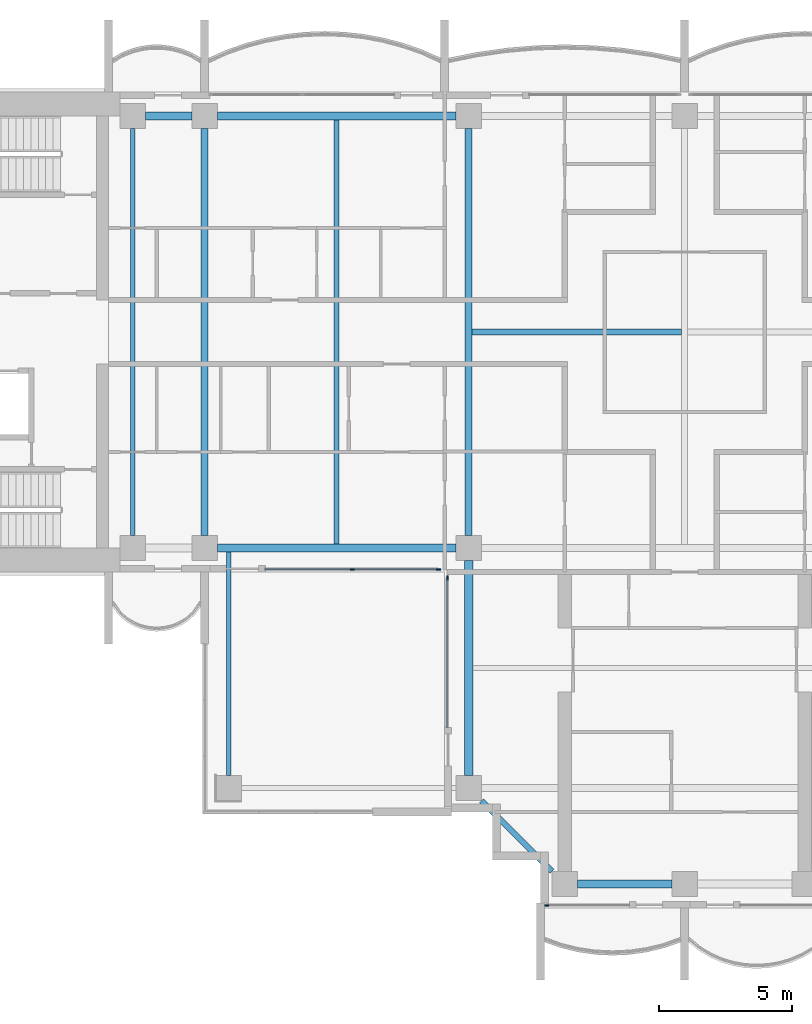
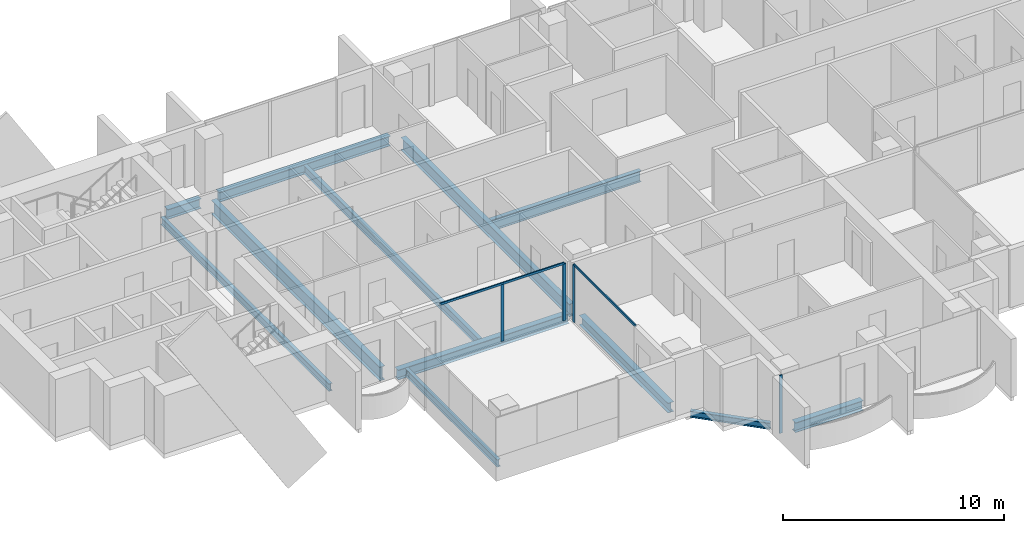
# One storey, part 2 of 18: 12 beams, 6 members, 3 elements without a shape of their own.
"""IFC4 building model written with IfcOpenShell, lengths in metres."""

from ifc_helpers import new_model, si_unit, direction, frame, origin, origin_2d, place, context, subcontext, project, spatial, rectangle, i_section, extrude, material, material_profile, profile_set, type_object, element, aggregate, save


model = new_model("IFC4")

# Units and contexts
model_context = context("Model", 3, precision=1e-05, world=origin(), true_north=direction((0.0, 1.0)))
body_context = subcontext(model_context, "Body", "Model", "MODEL_VIEW")
ifc_project = project(units=[si_unit("LENGTHUNIT", "METRE"), si_unit("AREAUNIT", "SQUARE_METRE"), si_unit("VOLUMEUNIT", "CUBIC_METRE"), si_unit("PLANEANGLEUNIT", "RADIAN"), si_unit("MASSUNIT", "GRAM", prefix="KILO")], contexts=[model_context])

# Site, building, storey
site_placement = place(None, origin())
site = spatial("IfcSite", under=ifc_project, at=site_placement, CompositionType="ELEMENT")
building_placement = place(site_placement, origin())
building = spatial("IfcBuilding", under=site, at=building_placement, Name="Perihelion Cross Residences", CompositionType="ELEMENT")
storey_placement = place(building_placement, frame((0.0, 0.0, 219.10009765625)))
storey = spatial("IfcBuildingStorey", under=building, at=storey_placement, Name="L55", CompositionType="ELEMENT", Elevation=219.10009765625)

# Curtain wall, members
ifc_material_1 = material(Name="Bronze anodised aluminium, tinted glazing", Category="aluminium")
curtain_wall_type = type_object("IfcCurtainWallType", Name="CW1", PredefinedType="NOTDEFINED", material=ifc_material_1)
curtain_wall_1_placement = place(storey_placement, origin())
curtain_wall_1 = element("IfcCurtainWall", 1, at=curtain_wall_1_placement, inside=storey, type_object=curtain_wall_type, Name="Curtain wall CW1 L55 west side south bay 2", PredefinedType="NOTDEFINED")
ifc_material_2 = material(Name="Bronze anodised aluminium", Category="aluminium")
ifc_material_profile_1 = material_profile(ifc_material_2, rectangle(XDim=0.06005859375, YDim=0.159912109375, at=origin_2d()), Name="CW1 mullion")
ifc_profile_set_1 = profile_set([ifc_material_profile_1], Name="Bronze anodised aluminium")
member_type_1 = type_object("IfcMemberType", Name="CW1 mullion", PredefinedType="MULLION", material=ifc_profile_set_1)
member_1_placement = place(storey_placement, frame((-12.46240234375, -8.89990234375, 0.0), z_axis=(0.0, 0.0, 1.0), x_axis=(0.0, 1.0, 0.0)))
member_1 = element("IfcMember", 2, at=member_1_placement, type_object=member_type_1, Name="CW1 mullion 2", PredefinedType="MULLION", context=body_context, shape_type="SweptSolid", body=[
    extrude(rectangle(XDim=0.06005859375, YDim=0.159912109375, at=origin_2d()), origin(), (0.0, 0.0, 1.0), 3.139892578125),
])
member_2_placement = place(storey_placement, frame((-9.22998046875, -8.89990234375, 0.0), z_axis=(0.0, 0.0, 1.0), x_axis=(0.0, 1.0, 0.0)))
member_2 = element("IfcMember", 3, at=member_2_placement, type_object=member_type_1, Name="CW1 mullion 3", PredefinedType="MULLION", context=body_context, shape_type="SweptSolid", body=[
    extrude(rectangle(XDim=0.06005859375, YDim=0.159912109375, at=origin_2d()), origin(), (0.0, 0.0, 1.0), 3.139892578125),
])

# Curtain wall, member
curtain_wall_2_placement = place(storey_placement, origin())
curtain_wall_2 = element("IfcCurtainWall", 4, at=curtain_wall_2_placement, inside=storey, type_object=curtain_wall_type, Name="Curtain wall CW1 L55 south side west bay 1", PredefinedType="NOTDEFINED")
member_3_placement = place(storey_placement, frame((-8.89990234375, -9.22998046875, 0.0), z_axis=(0.0, 0.0, 1.0), x_axis=(1.0, 0.0, 0.0)))
member_3 = element("IfcMember", 5, at=member_3_placement, type_object=member_type_1, Name="CW1 mullion 1", PredefinedType="MULLION", context=body_context, shape_type="SweptSolid", body=[
    extrude(rectangle(XDim=0.06005859375, YDim=0.159912109375, at=origin_2d()), origin(), (0.0, 0.0, 1.0), 3.139892578125),
])

curtain_wall_3_placement = place(storey_placement, origin())
curtain_wall_3 = element("IfcCurtainWall", 6, at=curtain_wall_3_placement, inside=storey, type_object=curtain_wall_type, Name="Curtain wall CW1 L55 south tip south bay 1", PredefinedType="NOTDEFINED")
member_4_placement = place(storey_placement, frame((-5.169921875, -21.5, 0.0), z_axis=(0.0, 0.0, 1.0), x_axis=(0.0, 1.0, 0.0)))
member_4 = element("IfcMember", 7, at=member_4_placement, type_object=member_type_1, Name="CW1 mullion 1", PredefinedType="MULLION", context=body_context, shape_type="SweptSolid", body=[
    extrude(rectangle(XDim=0.06005859375, YDim=0.159912109375, at=origin_2d()), origin(), (0.0, 0.0, 1.0), 3.199951171875),
])
aggregate(curtain_wall_3, [member_4])

# Member
ifc_material_3 = material(Name="Bronze anodised aluminium", Category="aluminium")
ifc_material_profile_2 = material_profile(ifc_material_3, rectangle(XDim=0.06005859375, YDim=0.1201171875, at=origin_2d()), Name="CW1 transom")
ifc_profile_set_2 = profile_set([ifc_material_profile_2], Name="Bronze anodised aluminium")
member_type_2 = type_object("IfcMemberType", Name="CW1 transom", PredefinedType="USERDEFINED", material=ifc_profile_set_2)
member_5_placement = place(storey_placement, frame((-15.72509765625, -8.89990234375, 3.169921875), z_axis=(1.0, 0.0, 0.0), x_axis=(0.0, 1.0, 0.0)))
member_5 = element("IfcMember", 8, at=member_5_placement, type_object=member_type_2, Name="CW1 head transom", ObjectType="TRANSOM", PredefinedType="USERDEFINED", context=body_context, shape_type="SweptSolid", body=[
    extrude(rectangle(XDim=0.06005859375, YDim=0.1201171875, at=origin_2d()), origin(), (0.0, 0.0, 1.0), 6.4951171875),
])

aggregate(curtain_wall_1, [member_1, member_2, member_5])

member_6_placement = place(storey_placement, frame((-8.89990234375, -9.22998046875, 3.169921875), z_axis=(0.0, -1.0, 0.0), x_axis=(1.0, 0.0, 0.0)))
member_6 = element("IfcMember", 9, at=member_6_placement, type_object=member_type_2, Name="CW1 head transom", ObjectType="TRANSOM", PredefinedType="USERDEFINED", context=body_context, shape_type="SweptSolid", body=[
    extrude(rectangle(XDim=0.06005859375, YDim=0.1201171875, at=origin_2d()), origin(), (0.0, 0.0, 1.0), 5.594970703125),
])

aggregate(curtain_wall_2, [member_3, member_6])

# Beams
ifc_material_4 = material(Name="Steel S355", Category="steel")
ifc_material_profile_3 = material_profile(ifc_material_4, i_section(OverallWidth=0.177978515625, OverallDepth=0.406005859375, WebThickness=0.0078125, FlangeThickness=0.0126953125, at=origin_2d()), Name="W410x60")
ifc_profile_set_3 = profile_set([ifc_material_profile_3], Name="Steel S355")
beam_type_1 = type_object("IfcBeamType", Name="Core edge beam W410x60", PredefinedType="BEAM", material=ifc_profile_set_3)
beam_1_placement = place(storey_placement, frame((-17.10009765625, -8.256103515625, -0.453125), z_axis=(0.0, -1.0, 0.0), x_axis=(1.0, 0.0, 0.0)))
element("IfcBeam", 10, at=beam_1_placement, inside=storey, type_object=beam_type_1, Name="Core edge beam TB2 L55 corner no. 1", PredefinedType="BEAM", context=body_context, shape_type="SweptSolid", body=[
    extrude(i_section(OverallWidth=0.177978515625, OverallDepth=0.406005859375, WebThickness=0.0078125, FlangeThickness=0.0126953125, at=origin_2d()), origin(), (0.0, 0.0, 1.0), 8.368896484375),
])
ifc_material_5 = material(Name="Steel S355", Category="steel")
ifc_material_profile_4 = material_profile(ifc_material_5, i_section(OverallWidth=0.180908203125, OverallDepth=0.4169921875, WebThickness=0.010986328125, FlangeThickness=0.018310546875, at=origin_2d()), Name="W410x85")
ifc_profile_set_4 = profile_set([ifc_material_profile_4], Name="Steel S355")
beam_type_2 = type_object("IfcBeamType", Name="Core edge beam W410x85", PredefinedType="BEAM", material=ifc_profile_set_4)
beam_2_placement = place(storey_placement, frame((-20.699951171875, -7.625, -0.45849609375), z_axis=(0.0, 1.0, 0.0), x_axis=(-1.0, 0.0, 0.0)))
element("IfcBeam", 11, at=beam_2_placement, inside=storey, type_object=beam_type_2, Name="Core edge beam TB6 L55 no. 1", PredefinedType="BEAM", context=body_context, shape_type="SweptSolid", body=[
    extrude(i_section(OverallWidth=0.180908203125, OverallDepth=0.4169921875, WebThickness=0.010986328125, FlangeThickness=0.018310546875, at=origin_2d()), origin(), (0.0, 0.0, 1.0), 15.25),
])
ifc_material_6 = material(Name="Steel S355", Category="steel")
ifc_material_profile_5 = material_profile(ifc_material_6, i_section(OverallWidth=0.31201171875, OverallDepth=0.5439453125, WebThickness=0.0126953125, FlangeThickness=0.020263671875, at=origin_2d()), Name="W530x150")
ifc_profile_set_5 = profile_set([ifc_material_profile_5], Name="Steel S355")
beam_type_3 = type_object("IfcBeamType", Name="Edge beam W530x150", PredefinedType="SPANDREL", material=ifc_profile_set_5)
beam_3_placement = place(storey_placement, frame((-8.574951171875, 8.10009765625, -0.522216796875), z_axis=(-1.0, 0.0, 0.0), x_axis=(0.0, -1.0, 0.0)))
element("IfcBeam", 12, at=beam_3_placement, inside=storey, type_object=beam_type_3, Name="Edge beam SB4 L55 no. 6", PredefinedType="SPANDREL", context=body_context, shape_type="SweptSolid", body=[
    extrude(i_section(OverallWidth=0.31201171875, OverallDepth=0.5439453125, WebThickness=0.0126953125, FlangeThickness=0.020263671875, at=origin_2d()), origin(), (0.0, 0.0, 1.0), 8.949951171875),
])
beam_4_placement = place(storey_placement, frame((-18.47509765625, 8.10009765625, -0.522216796875), z_axis=(-1.0, 0.0, 0.0), x_axis=(0.0, -1.0, 0.0)))
element("IfcBeam", 13, at=beam_4_placement, inside=storey, type_object=beam_type_3, Name="Edge beam SB4 L55 no. 2", PredefinedType="SPANDREL", context=body_context, shape_type="SweptSolid", body=[
    extrude(i_section(OverallWidth=0.31201171875, OverallDepth=0.5439453125, WebThickness=0.0126953125, FlangeThickness=0.020263671875, at=origin_2d()), origin(), (0.0, 0.0, 1.0), 1.75),
])
beam_5_placement = place(storey_placement, frame((-17.52490234375, -8.10009765625, -0.522216796875), z_axis=(1.0, 0.0, 0.0), x_axis=(0.0, 1.0, 0.0)))
element("IfcBeam", 14, at=beam_5_placement, inside=storey, type_object=beam_type_3, Name="Edge beam SB4 L55 no. 1", PredefinedType="SPANDREL", context=body_context, shape_type="SweptSolid", body=[
    extrude(i_section(OverallWidth=0.31201171875, OverallDepth=0.5439453125, WebThickness=0.0126953125, FlangeThickness=0.020263671875, at=origin_2d()), origin(), (0.0, 0.0, 1.0), 8.949951171875),
])
beam_6_placement = place(storey_placement, frame((-8.10009765625, -8.574951171875, -0.522216796875), z_axis=(0.0, -1.0, 0.0), x_axis=(1.0, 0.0, 0.0)))
element("IfcBeam", 15, at=beam_6_placement, inside=storey, type_object=beam_type_3, Name="Edge beam SB4 L55 no. 5", PredefinedType="SPANDREL", context=body_context, shape_type="SweptSolid", body=[
    extrude(i_section(OverallWidth=0.31201171875, OverallDepth=0.5439453125, WebThickness=0.0126953125, FlangeThickness=0.020263671875, at=origin_2d()), origin(), (0.0, 0.0, 1.0), 8.050048828125),
])
beam_7_placement = place(storey_placement, frame((-4.02490234375, -20.699951171875, -0.522216796875), z_axis=(1.0, 0.0, 0.0), x_axis=(0.0, 1.0, 0.0)))
element("IfcBeam", 16, at=beam_7_placement, inside=storey, type_object=beam_type_3, Name="Edge beam SB4 L55 no. 4", PredefinedType="SPANDREL", context=body_context, shape_type="SweptSolid", body=[
    extrude(i_section(OverallWidth=0.31201171875, OverallDepth=0.5439453125, WebThickness=0.0126953125, FlangeThickness=0.020263671875, at=origin_2d()), origin(), (0.0, 0.0, 1.0), 3.5498046875),
])
ifc_material_7 = material(Name="Steel S355", Category="steel")
ifc_material_profile_6 = material_profile(ifc_material_7, i_section(OverallWidth=0.26708984375, OverallDepth=0.77001953125, WebThickness=0.015625, FlangeThickness=0.025390625, at=origin_2d()), Name="W760x196")
ifc_profile_set_6 = profile_set([ifc_material_profile_6], Name="Steel S355")
beam_type_4 = type_object("IfcBeamType", Name="Floor girder W760x196", PredefinedType="BEAM", material=ifc_profile_set_6)
beam_8_placement = place(storey_placement, frame((-18.0, -7.625, -0.635009765625), z_axis=(0.0, 1.0, 0.0), x_axis=(-1.0, 0.0, 0.0)))
element("IfcBeam", 17, at=beam_8_placement, inside=storey, type_object=beam_type_4, Name="Girder G4 L55 no. 1", PredefinedType="BEAM", context=body_context, shape_type="SweptSolid", body=[
    extrude(i_section(OverallWidth=0.26708984375, OverallDepth=0.77001953125, WebThickness=0.015625, FlangeThickness=0.025390625, at=origin_2d()), origin(), (0.0, 0.0, 1.0), 15.25),
])
ifc_material_8 = material(Name="Steel S355", Category="steel")
ifc_material_profile_7 = material_profile(ifc_material_8, i_section(OverallWidth=0.19091796875, OverallDepth=0.45703125, WebThickness=0.009033203125, FlangeThickness=0.014404296875, at=origin_2d()), Name="W460x74")
ifc_profile_set_7 = profile_set([ifc_material_profile_7], Name="Steel S355")
beam_type_5 = type_object("IfcBeamType", Name="Floor joist W460x74", PredefinedType="JOIST", material=ifc_profile_set_7)
beam_9_placement = place(storey_placement, frame((-13.050048828125, -7.944091796875, -0.478515625), z_axis=(0.0, 1.0, 0.0), x_axis=(-1.0, 0.0, 0.0)))
element("IfcBeam", 18, at=beam_9_placement, inside=storey, type_object=beam_type_5, Name="Joist J5 L55 no. 1", PredefinedType="JOIST", context=body_context, shape_type="SweptSolid", body=[
    extrude(i_section(OverallWidth=0.19091796875, OverallDepth=0.45703125, WebThickness=0.009033203125, FlangeThickness=0.014404296875, at=origin_2d()), origin(), (0.0, 0.0, 1.0), 15.88818359375),
])
ifc_material_9 = material(Name="Steel S355", Category="steel")
ifc_material_profile_8 = material_profile(ifc_material_9, i_section(OverallWidth=0.22900390625, OverallDepth=0.612060546875, WebThickness=0.011962890625, FlangeThickness=0.01953125, at=origin_2d()), Name="W610x125")
ifc_profile_set_8 = profile_set([ifc_material_profile_8], Name="Steel S355")
beam_type_6 = type_object("IfcBeamType", Name="Hub cross beam W610x125", PredefinedType="BEAM", material=ifc_profile_set_8)
beam_10_placement = place(storey_placement, frame((-7.971435546875, 0.0, -0.55615234375), z_axis=(1.0, 0.0, 0.0), x_axis=(0.0, 1.0, 0.0)))
element("IfcBeam", 19, at=beam_10_placement, inside=storey, type_object=beam_type_6, Name="Hub cross beam XB4 L55 1 no. 1", PredefinedType="BEAM", context=body_context, shape_type="SweptSolid", body=[
    extrude(i_section(OverallWidth=0.22900390625, OverallDepth=0.612060546875, WebThickness=0.011962890625, FlangeThickness=0.01953125, at=origin_2d()), origin(), (0.0, 0.0, 1.0), 7.85693359375),
])
ifc_material_10 = material(Name="Steel S355", Category="steel")
ifc_material_profile_9 = material_profile(ifc_material_10, i_section(OverallWidth=0.257080078125, OverallDepth=0.693115234375, WebThickness=0.014404296875, FlangeThickness=0.023681640625, at=origin_2d()), Name="W690x170")
ifc_profile_set_9 = profile_set([ifc_material_profile_9], Name="Steel S355")
beam_type_7 = type_object("IfcBeamType", Name="Hub ring girder W690x170", PredefinedType="BEAM", material=ifc_profile_set_9)
beam_11_placement = place(storey_placement, frame((-8.10009765625, 7.625, -0.5966796875), z_axis=(0.0, -1.0, 0.0), x_axis=(1.0, 0.0, 0.0)))
element("IfcBeam", 20, at=beam_11_placement, inside=storey, type_object=beam_type_7, Name="Hub ring girder RG4 L55 no. 2", PredefinedType="BEAM", context=body_context, shape_type="SweptSolid", body=[
    extrude(i_section(OverallWidth=0.257080078125, OverallDepth=0.693115234375, WebThickness=0.014404296875, FlangeThickness=0.023681640625, at=origin_2d()), origin(), (0.0, 0.0, 1.0), 15.25),
])
ifc_material_11 = material(Name="Steel S355", Category="steel")
ifc_material_profile_10 = material_profile(ifc_material_11, i_section(OverallWidth=0.205078125, OverallDepth=0.35302734375, WebThickness=0.009521484375, FlangeThickness=0.016845703125, at=origin_2d()), Name="W360x79")
ifc_profile_set_10 = profile_set([ifc_material_profile_10], Name="Steel S355")
beam_type_8 = type_object("IfcBeamType", Name="Serration edge beam W360x79", PredefinedType="BEAM", material=ifc_profile_set_10)
beam_12_placement = place(storey_placement, frame((-7.625, -17.574951171875, -0.426513671875), z_axis=(0.70707420838, -0.707139352493, 0.0), x_axis=(0.707139352493, 0.70707420838, 0.0)))
element("IfcBeam", 21, at=beam_12_placement, inside=storey, type_object=beam_type_8, Name="Serration edge beam EB4 L55 no. 1", PredefinedType="BEAM", context=body_context, shape_type="SweptSolid", body=[
    extrude(i_section(OverallWidth=0.205078125, OverallDepth=0.35302734375, WebThickness=0.009521484375, FlangeThickness=0.016845703125, at=origin_2d()), origin(), (0.0, 0.0, 1.0), 3.747802734375),
])

save(model, "model.ifc")
